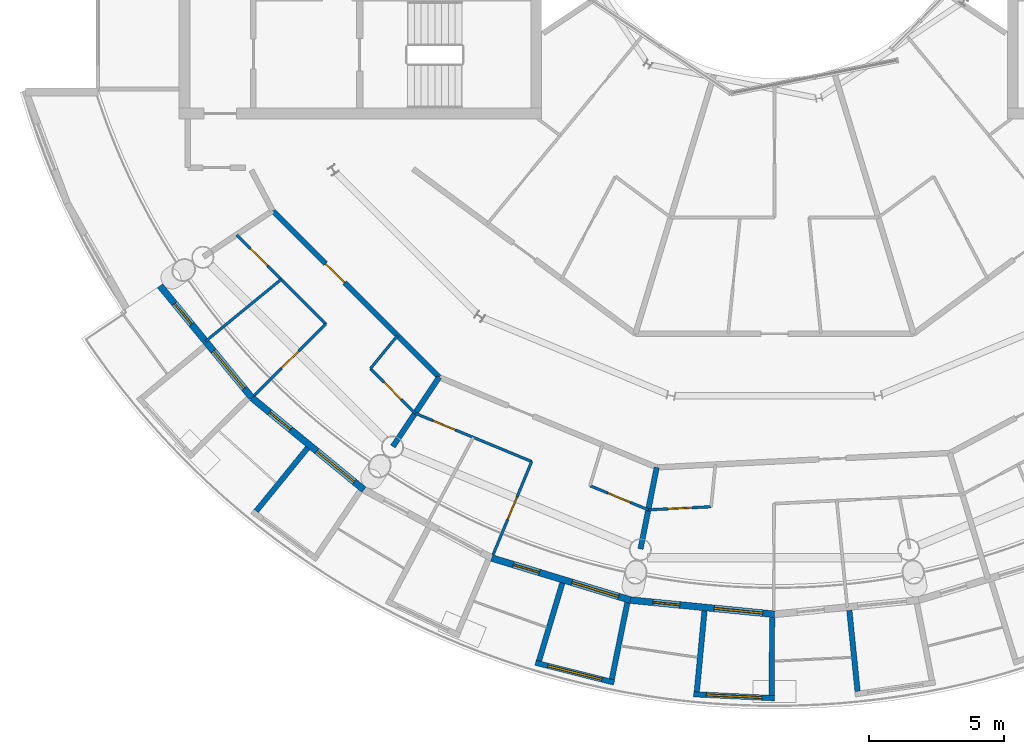
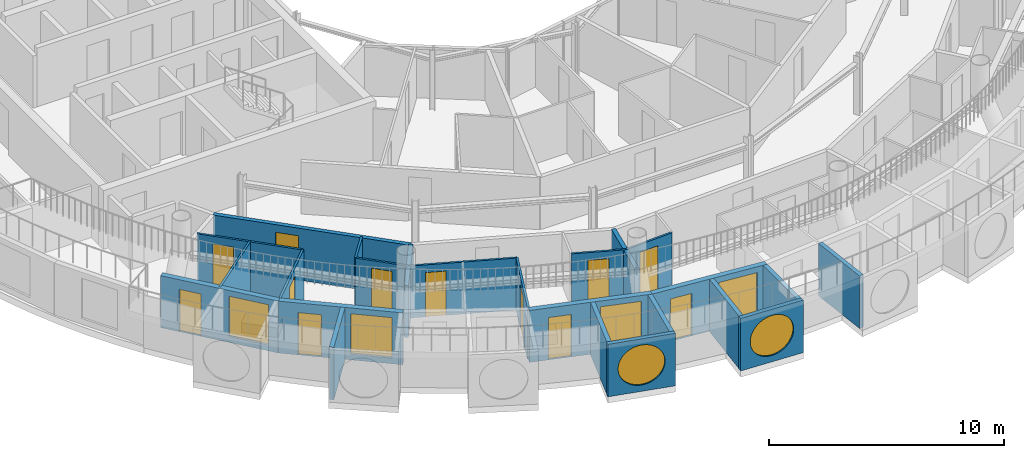
# One storey, part 14 of 29: 24 walls, 12 doors, 6 windows, 18 openings.
"""IFC4 building model written with IfcOpenShell, lengths in metres."""

import ifcopenshell
import ifcopenshell.guid

model = None  # the IFC model being written
_history = None  # IfcOwnerHistory: only IFC2X3 demands one
_inside = {}  # id of a spatial element -> (the spatial element, [elements in it])
_under = {}  # id of a project, library or spatial element -> (it, [spatial elements below it])
_declared = {}  # id of a project -> (the project, [libraries it declares])
_typed = {}  # id of a type object -> (the type object, [elements of that type])
_made_of = {}  # id of a material, layer set ... -> (it, [elements and type objects made of it])


def new_model(schema):
    """Start an empty IFC model of exactly this schema.

    Asked for "IFC4X3", IfcOpenShell would pick the latest addendum, in which some entities
    have other attributes; the version numbers below select the first issue.
    IFC2X3 requires an IfcOwnerHistory on every rooted entity: one is made here for all.
    """
    global model, _history
    if schema == "IFC4X3":
        model = ifcopenshell.file(schema_version=(4, 3, 0, 0))
    else:
        model = ifcopenshell.file(schema=schema)
    _inside.clear()
    _under.clear()
    _declared.clear()
    _typed.clear()
    _made_of.clear()
    _history = None
    if model.schema == "IFC2X3":
        org = make("IfcOrganization", Name="unknown")
        user = make(
            "IfcPersonAndOrganization",
            ThePerson=make("IfcPerson", FamilyName="unknown"),
            TheOrganization=org,
        )
        app = make(
            "IfcApplication",
            ApplicationDeveloper=org,
            Version="unknown",
            ApplicationFullName="unknown",
            ApplicationIdentifier="unknown",
        )
        _history = make(
            "IfcOwnerHistory",
            OwningUser=user,
            OwningApplication=app,
            ChangeAction="ADDED",
            CreationDate=0,
        )
    return model


def make(cls, **values):
    """One entity of the class cls with the attributes given. An attribute that is None is left unset."""
    return model.create_entity(
        cls, **{name: value for name, value in values.items() if value is not None}
    )


def rooted(cls, **values):
    """An entity with a GlobalId (a new one), such as an element, a storey or a relation."""
    return make(cls, GlobalId=ifcopenshell.guid.new(), OwnerHistory=_history, **values)


def si_unit(unit_type, name, prefix=None):
    """IfcSIUnit, for example si_unit("LENGTHUNIT", "METRE", prefix="MILLI")."""
    return make("IfcSIUnit", UnitType=unit_type, Prefix=prefix, Name=name)


def assignment(units):
    """IfcUnitAssignment: the units of a project."""
    return None if units is None else make("IfcUnitAssignment", Units=units)


def point(xyz):
    """IfcCartesianPoint."""
    return None if xyz is None else make("IfcCartesianPoint", Coordinates=xyz)


def direction(xyz):
    """IfcDirection."""
    return None if xyz is None else make("IfcDirection", DirectionRatios=xyz)


def frame(location, z_axis=None, x_axis=None):
    """IfcAxis2Placement3D, a coordinate frame: its origin and axes. An axis left out is left unset."""
    return make(
        "IfcAxis2Placement3D",
        Location=point(location),
        Axis=direction(z_axis),
        RefDirection=direction(x_axis),
    )


def frame_2d(location, x_axis=None):
    """IfcAxis2Placement2D, a coordinate frame in the plane: its origin and x axis."""
    return make(
        "IfcAxis2Placement2D", Location=point(location), RefDirection=direction(x_axis)
    )


def origin():
    """The frame at (0, 0, 0) with its axes left unset."""
    return frame((0.0, 0.0, 0.0))


def place(relative_to, where):
    """IfcLocalPlacement: puts the frame where relative to a parent placement (None: the world)."""
    return make(
        "IfcLocalPlacement", PlacementRelTo=relative_to, RelativePlacement=where
    )


def context(
    kind, dimensions, precision=None, world=None, true_north=None, identifier=None
):
    """IfcGeometricRepresentationContext, for example the 3D "Model" context."""
    return make(
        "IfcGeometricRepresentationContext",
        ContextIdentifier=identifier,
        ContextType=kind,
        CoordinateSpaceDimension=dimensions,
        Precision=precision,
        WorldCoordinateSystem=world,
        TrueNorth=true_north,
    )


def subcontext(parent, identifier, kind, view, scale=None):
    """IfcGeometricRepresentationSubContext, for example "Body" below "Model"."""
    return make(
        "IfcGeometricRepresentationSubContext",
        ContextIdentifier=identifier,
        ContextType=kind,
        ParentContext=parent,
        TargetScale=scale,
        TargetView=view,
    )


def project(units=None, contexts=None):
    """IfcProject with its units and contexts."""
    return rooted(
        "IfcProject",
        Name="project",
        RepresentationContexts=contexts,
        UnitsInContext=assignment(units),
    )


def spatial(cls, under=None, at=None, **own):
    """A site, building, storey or space (cls), placed at a placement, below another one or the project."""
    s = rooted(cls, ObjectPlacement=at, **own)
    if under is not None:
        _under.setdefault(under.id(), (under, []))[1].append(s)
    return s


def profile(cls, at=None, kind="AREA", **sizes):
    """A parametric profile (cls). Its sizes go by their IFC names, for example OverallWidth=200.0."""
    return make(cls, ProfileType=kind, Position=at, **sizes)


def rectangle(**sizes):
    """IfcRectangleProfileDef."""
    return profile("IfcRectangleProfileDef", **sizes)


def circle(**sizes):
    """IfcCircleProfileDef."""
    return profile("IfcCircleProfileDef", **sizes)


def extrude(swept, where, along, depth):
    """IfcExtrudedAreaSolid: the profile swept, set in the frame where, extruded along a direction by depth."""
    return make(
        "IfcExtrudedAreaSolid",
        SweptArea=swept,
        Position=where,
        ExtrudedDirection=direction(along),
        Depth=depth,
    )


def shape(context_of_items, identifier, shape_type, items):
    """IfcShapeRepresentation: the items that make up one representation, for example the "Body"."""
    return make(
        "IfcShapeRepresentation",
        ContextOfItems=context_of_items,
        RepresentationIdentifier=identifier,
        RepresentationType=shape_type,
        Items=items,
    )


def material(Name=None, Category=None):
    """IfcMaterial."""
    return make("IfcMaterial", Name=Name, Category=Category)


def layer(
    of_material, thickness, ventilated=None, Name=None, Category=None, Priority=None
):
    """IfcMaterialLayer: one layer of a wall or slab, of a material (None: an air gap)."""
    return make(
        "IfcMaterialLayer",
        Material=of_material,
        LayerThickness=thickness,
        IsVentilated=ventilated,
        Name=Name,
        Category=Category,
        Priority=Priority,
    )


def layer_set(layers, Name=None):
    """IfcMaterialLayerSet."""
    return make("IfcMaterialLayerSet", MaterialLayers=layers, LayerSetName=Name)


def made_of(thing, what):
    """Note that an element or type object is made of a material, layer set ...; save() writes the relation."""
    if what is not None:
        _made_of.setdefault(what.id(), (what, []))[1].append(thing)
    return thing


def type_object(cls, material=None, **own):
    """A type object (cls), such as IfcWallType, which elements share."""
    return made_of(rooted(cls, **own), material)


def element(
    cls,
    number,
    at=None,
    inside=None,
    cuts=None,
    type_object=None,
    material=None,
    context=None,
    identifier="Body",
    shape_type=None,
    held_by="IfcProductDefinitionShape",
    body=None,
    shapes=None,
    **own,
):
    """One element of the class cls, such as IfcWall. Its Tag is "e" and its number.

    at: its placement. inside: the storey or other place that contains it. cuts: it is an
    opening in that element (IfcRelVoidsElement). A single representation is given by context,
    identifier, shape_type and body (its items); several are given by shapes. held_by: the class
    of the entity that holds the representations. save() writes the other relations.
    """
    e = rooted(cls, Tag="e%d" % number, ObjectPlacement=at, **own)
    if body is not None:
        shapes = [shape(context, identifier, shape_type, body)]
    if shapes is not None:
        e.Representation = make(held_by, Representations=shapes)
    if inside is not None:
        _inside.setdefault(inside.id(), (inside, []))[1].append(e)
    if cuts is not None:
        rooted(
            "IfcRelVoidsElement", RelatingBuildingElement=cuts, RelatedOpeningElement=e
        )
    if type_object is not None:
        _typed.setdefault(type_object.id(), (type_object, []))[1].append(e)
    return made_of(e, material)


def fill(opening, filler):
    """IfcRelFillsElement: the door or window that sits in an opening."""
    return rooted(
        "IfcRelFillsElement",
        RelatingOpeningElement=opening,
        RelatedBuildingElement=filler,
    )


def aggregate(whole, parts):
    """IfcRelAggregates: a whole, such as a stair, and the parts it consists of."""
    return rooted("IfcRelAggregates", RelatingObject=whole, RelatedObjects=parts)


def save(model, path):
    """Write the relations noted so far, then the file.

    IfcRelAggregates (storeys below a building ...), IfcRelContainedInSpatialStructure (elements
    in a storey), IfcRelDefinesByType, IfcRelAssociatesMaterial and IfcRelDeclares: one each for
    every whole, place, type object, material and project.
    """
    for whole, parts in _under.values():
        aggregate(whole, parts)
    for where, things in _inside.values():
        rooted(
            "IfcRelContainedInSpatialStructure",
            RelatedElements=things,
            RelatingStructure=where,
        )
    for kind, things in _typed.values():
        rooted("IfcRelDefinesByType", RelatedObjects=things, RelatingType=kind)
    for what, things in _made_of.values():
        rooted("IfcRelAssociatesMaterial", RelatedObjects=things, RelatingMaterial=what)
    for by, libraries in _declared.values():
        rooted("IfcRelDeclares", RelatingContext=by, RelatedDefinitions=libraries)
    model.write(path)


model = new_model("IFC4")

# Units and contexts
model_context = context("Model", 3, precision=1e-05, world=origin(), true_north=direction((0.0, 1.0)))
body_context = subcontext(model_context, "Body", "Model", "MODEL_VIEW")
ifc_project = project(units=[si_unit("LENGTHUNIT", "METRE"), si_unit("AREAUNIT", "SQUARE_METRE"), si_unit("VOLUMEUNIT", "CUBIC_METRE"), si_unit("PLANEANGLEUNIT", "RADIAN"), si_unit("MASSUNIT", "GRAM", prefix="KILO")], contexts=[model_context])

# Site, building, storey
site_placement = place(None, origin())
site = spatial("IfcSite", under=ifc_project, at=site_placement, CompositionType="ELEMENT")
building_placement = place(site_placement, origin())
building = spatial("IfcBuilding", under=site, at=building_placement, Name="Maasbend Ring Residences", CompositionType="ELEMENT")
storey_placement = place(building_placement, frame((0.0, 0.0, 234.050048828125)))
storey = spatial("IfcBuildingStorey", under=building, at=storey_placement, Name="L67", CompositionType="ELEMENT", Elevation=234.050048828125)

# Wall, opening, door
ifc_material_1 = material(Name="Concrete C30/37", Category="concrete")
ifc_layer_1 = layer(ifc_material_1, 0.199951171875)
ifc_layer_set_1 = layer_set([ifc_layer_1], Name="Concrete C30/37")
wall_type_1 = type_object("IfcWallType", Name="CORRIDOR WALL 200 CONCRETE", PredefinedType="PARTITIONING", material=ifc_layer_set_1)
wall_1_placement = place(storey_placement, frame((-18.5419921875, -12.388916015625, 0.0), z_axis=(0.0, 0.0, 1.0), x_axis=(0.707106781187, -0.707106781187, 0.0)))
wall_1 = element("IfcWall", 1, at=wall_1_placement, inside=storey, type_object=wall_type_1, Name="U-L67-w014", PredefinedType="PARTITIONING", context=body_context, shape_type="SweptSolid", body=[
    extrude(rectangle(XDim=8.70166015625, YDim=0.199951171875, at=frame_2d((4.350830078125, 0.0))), origin(), (0.0, 0.0, 1.0), 2.699951171875),
])
opening_1_placement = place(wall_1_placement, frame((2.762939453125, 0.0, 0.0)))
opening_1 = element("IfcOpeningElement", 2, at=opening_1_placement, cuts=wall_1, Name="Opening D-6734", PredefinedType="OPENING", context=body_context, shape_type="SweptSolid", body=[
    extrude(rectangle(XDim=1.0, YDim=2.300048828125, at=frame_2d((0.5, 1.14990234375))), frame((0.0, 0.10986328125, 0.0), z_axis=(0.0, -1.0, 0.0), x_axis=(1.0, 0.0, 0.0)), (0.0, 0.0, 1.0), 0.219970703125),
])
ifc_material_2 = material(Name="Timber, fire-rated, painted", Category="wood")
door_type_1 = type_object("IfcDoorType", Name="FLAT ENTRANCE DOOR 1000 X 2300 FIRE-RATED", OperationType="NOTDEFINED", PredefinedType="DOOR", material=ifc_material_2)
door_1_placement = place(opening_1_placement, origin())
door_1 = element("IfcDoor", 3, at=door_1_placement, inside=storey, type_object=door_type_1, Name="D-6734", OperationType="SINGLE_SWING_LEFT", OverallHeight=2.300048828125, OverallWidth=1.0, PredefinedType="DOOR", context=body_context, shape_type="SweptSolid", body=[
    extrude(rectangle(XDim=1.0, YDim=2.300048828125, at=frame_2d((0.5, 1.14990234375))), frame((0.0, 0.02490234375, 0.0), z_axis=(0.0, -1.0, 0.0), x_axis=(1.0, 0.0, 0.0)), (0.0, 0.0, 1.0), 0.050048828125),
])
fill(opening_1, door_1)

# Wall
ifc_material_3 = material(Name="Pale anodised aluminium panel", Category="aluminium")
ifc_layer_2 = layer(ifc_material_3, 0.199951171875)
ifc_layer_set_2 = layer_set([ifc_layer_2], Name="EW-BOX")
wall_type_2 = type_object("IfcWallType", Name="EW-BOX", PredefinedType="SOLIDWALL", material=ifc_layer_set_2)
wall_2_placement = place(storey_placement, frame((-17.24609375, -21.155029296875, -0.030029296875), z_axis=(0.0, 0.0, 1.0), x_axis=(-0.631546363729, -0.775338113639, 0.0)))
element("IfcWall", 4, at=wall_2_placement, inside=storey, type_object=wall_type_2, Name="Box side wall S04 left", PredefinedType="SOLIDWALL", context=body_context, shape_type="SweptSolid", body=[
    extrude(rectangle(XDim=3.005126953125, YDim=0.199951171875, at=frame_2d((1.50244140625, 0.0))), origin(), (0.0, 0.0, 1.0), 2.72998046875),
])

# Wall, opening, window
wall_3_placement = place(storey_placement, frame((-8.8291015625, -29.090087890625, -0.030029296875), z_axis=(0.0, 0.0, 1.0), x_axis=(0.970060865847, -0.24286192899, 0.0)))
wall_3 = element("IfcWall", 5, at=wall_3_placement, inside=storey, type_object=wall_type_2, Name="Box front S08", PredefinedType="SOLIDWALL", context=body_context, shape_type="SweptSolid", body=[
    extrude(rectangle(XDim=2.99267578125, YDim=0.199951171875, at=frame_2d((1.496337890625, 0.0))), origin(), (0.0, 0.0, 1.0), 2.72998046875),
])
opening_2_placement = place(wall_3_placement, frame((0.45654296875, 0.0, 0.330078125)))
opening_2 = element("IfcOpeningElement", 6, at=opening_2_placement, cuts=wall_3, Name="Opening W-RD", PredefinedType="OPENING", context=body_context, shape_type="SweptSolid", body=[
    extrude(circle(Radius=1.0400390625, at=frame_2d((1.0400390625, 1.0400390625))), frame((0.0, 0.10986328125, 0.0), z_axis=(0.0, -1.0, 0.0), x_axis=(1.0, 0.0, 0.0)), (0.0, 0.0, 1.0), 0.219970703125),
])
ifc_material_4 = material(Name="Aluminium and clear glass", Category="aluminium")
window_type_1 = type_object("IfcWindowType", Name="W-RD", PartitioningType="SINGLE_PANEL", PredefinedType="WINDOW", material=ifc_material_4)
window_1_placement = place(opening_2_placement, origin())
window_1 = element("IfcWindow", 7, at=window_1_placement, inside=storey, type_object=window_type_1, Name="Round window S08", OverallHeight=2.080078125, OverallWidth=2.080078125, PartitioningType="SINGLE_PANEL", PredefinedType="WINDOW", context=body_context, shape_type="SweptSolid", body=[
    extrude(circle(Radius=1.0400390625, at=frame_2d((1.0400390625, 1.0400390625))), frame((0.0, 0.030029296875, 0.0), z_axis=(0.0, -1.0, 0.0), x_axis=(1.0, 0.0, 0.0)), (0.0, 0.0, 1.0), 0.06005859375),
])
fill(opening_2, window_1)

# Walls
wall_4_placement = place(storey_placement, frame((-7.8369140625, -26.14404296875, -0.030029296875), z_axis=(0.0, 0.0, 1.0), x_axis=(-0.287064767992, -0.957911174889, 0.0)))
element("IfcWall", 8, at=wall_4_placement, inside=storey, type_object=wall_type_2, Name="Box side wall S08 left", PredefinedType="SOLIDWALL", context=body_context, shape_type="SweptSolid", body=[
    extrude(rectangle(XDim=3.00634765625, YDim=0.199951171875, at=frame_2d((1.503173828125, 0.0))), origin(), (0.0, 0.0, 1.0), 2.72998046875),
])
wall_5_placement = place(storey_placement, frame((-5.43701171875, -26.8720703125, -0.030029296875), z_axis=(0.0, 0.0, 1.0), x_axis=(-0.198395337493, -0.980122079162, 0.0)))
element("IfcWall", 9, at=wall_5_placement, inside=storey, type_object=wall_type_2, Name="Box side wall S08 right", PredefinedType="SOLIDWALL", context=body_context, shape_type="SweptSolid", body=[
    extrude(rectangle(XDim=2.88330078125, YDim=0.199951171875, at=frame_2d((1.441650390625, 0.0))), origin(), (0.0, 0.0, 1.0), 2.72998046875),
])

# Wall, opening, window
wall_6_placement = place(storey_placement, frame((-2.985107421875, -30.2529296875, -0.030029296875), z_axis=(0.0, 0.0, 1.0), x_axis=(0.998794083011, -0.049095618353, 0.0)))
wall_6 = element("IfcWall", 10, at=wall_6_placement, inside=storey, type_object=wall_type_2, Name="Box front S10", PredefinedType="SOLIDWALL", context=body_context, shape_type="SweptSolid", body=[
    extrude(rectangle(XDim=2.99365234375, YDim=0.199951171875, at=frame_2d((1.496826171875, 0.0))), origin(), (0.0, 0.0, 1.0), 2.72998046875),
])
opening_3_placement = place(wall_6_placement, frame((0.45654296875, 0.0, 0.330078125)))
opening_3 = element("IfcOpeningElement", 11, at=opening_3_placement, cuts=wall_6, Name="Opening W-RD", PredefinedType="OPENING", context=body_context, shape_type="SweptSolid", body=[
    extrude(circle(Radius=1.0400390625, at=frame_2d((1.0400390625, 1.0400390625))), frame((0.0, 0.10986328125, 0.0), z_axis=(0.0, -1.0, 0.0), x_axis=(1.0, 0.0, 0.0)), (0.0, 0.0, 1.0), 0.219970703125),
])
window_2_placement = place(opening_3_placement, origin())
window_2 = element("IfcWindow", 12, at=window_2_placement, inside=storey, type_object=window_type_1, Name="Round window S10", OverallHeight=2.080078125, OverallWidth=2.080078125, PartitioningType="SINGLE_PANEL", PredefinedType="WINDOW", context=body_context, shape_type="SweptSolid", body=[
    extrude(circle(Radius=1.0400390625, at=frame_2d((1.0400390625, 1.0400390625))), frame((0.0, 0.030029296875, 0.0), z_axis=(0.0, -1.0, 0.0), x_axis=(1.0, 0.0, 0.0)), (0.0, 0.0, 1.0), 0.06005859375),
])
fill(opening_3, window_2)

# Walls
wall_7_placement = place(storey_placement, frame((-2.5859375, -27.1708984375, -0.030029296875), z_axis=(0.0, 0.0, 1.0), x_axis=(-0.094548432284, -0.995520262954, 0.0)))
element("IfcWall", 13, at=wall_7_placement, inside=storey, type_object=wall_type_2, Name="Box side wall S10 left", PredefinedType="SOLIDWALL", context=body_context, shape_type="SweptSolid", body=[
    extrude(rectangle(XDim=3.005615234375, YDim=0.199951171875, at=frame_2d((1.5029296875, 0.0))), origin(), (0.0, 0.0, 1.0), 2.72998046875),
])
wall_8_placement = place(storey_placement, frame((-0.090087890625, -27.4169921875, -0.030029296875), z_axis=(0.0, 0.0, 1.0), x_axis=(-0.00347308367, -0.999993968827, 0.0)))
element("IfcWall", 14, at=wall_8_placement, inside=storey, type_object=wall_type_2, Name="Box side wall S10 right", PredefinedType="SOLIDWALL", context=body_context, shape_type="SweptSolid", body=[
    extrude(rectangle(XDim=2.882080078125, YDim=0.199951171875, at=frame_2d((1.44091796875, 0.0))), origin(), (0.0, 0.0, 1.0), 2.72998046875),
])
wall_9_placement = place(storey_placement, frame((2.763916015625, -27.153076171875, -0.030029296875), z_axis=(0.0, 0.0, 1.0), x_axis=(0.101505487237, -0.994834979311, 0.0)))
element("IfcWall", 15, at=wall_9_placement, inside=storey, type_object=wall_type_2, Name="Box side wall S12 left", PredefinedType="SOLIDWALL", context=body_context, shape_type="SweptSolid", body=[
    extrude(rectangle(XDim=3.006591796875, YDim=0.199951171875, at=frame_2d((1.50341796875, 0.0))), origin(), (0.0, 0.0, 1.0), 2.72998046875),
])

# Wall, openings, door, window
ifc_material_5 = material(Name="Aluminium clad insulated panel", Category="aluminium")
ifc_layer_3 = layer(ifc_material_5, 0.25)
ifc_layer_set_3 = layer_set([ifc_layer_3], Name="EW-GL")
wall_type_3 = type_object("IfcWallType", Name="EW-GL", PredefinedType="SOLIDWALL", material=ifc_layer_set_3)
wall_10_placement = place(storey_placement, frame((-22.698974609375, -15.1669921875, 0.0), z_axis=(0.0, 0.0, 1.0), x_axis=(0.634382322723, -0.773019449054, 0.0)))
wall_10 = element("IfcWall", 16, at=wall_10_placement, inside=storey, type_object=wall_type_3, Name="External wall S01", PredefinedType="SOLIDWALL", context=body_context, shape_type="SweptSolid", body=[
    extrude(rectangle(XDim=5.351806640625, YDim=0.25, at=frame_2d((2.67578125, 0.0))), origin(), (0.0, 0.0, 1.0), 2.699951171875),
])
opening_4_placement = place(wall_10_placement, frame((0.841064453125, 0.0, 0.0)))
opening_4 = element("IfcOpeningElement", 17, at=opening_4_placement, cuts=wall_10, Name="Opening D-LG", PredefinedType="OPENING", context=body_context, shape_type="SweptSolid", body=[
    extrude(rectangle(XDim=1.0, YDim=2.199951171875, at=frame_2d((0.5, 1.10009765625))), frame((0.0, 0.135009765625, 0.0), z_axis=(0.0, -1.0, 0.0), x_axis=(1.0, 0.0, 0.0)), (0.0, 0.0, 1.0), 0.27001953125),
])
opening_5_placement = place(wall_10_placement, frame((3.110595703125, 0.0, 0.300048828125)))
opening_5 = element("IfcOpeningElement", 18, at=opening_5_placement, cuts=wall_10, Name="Opening W-BX", PredefinedType="OPENING", context=body_context, shape_type="SweptSolid", body=[
    extrude(rectangle(XDim=1.800048828125, YDim=2.10009765625, at=frame_2d((0.89990234375, 1.050048828125))), frame((0.0, 0.135009765625, 0.0), z_axis=(0.0, -1.0, 0.0), x_axis=(1.0, 0.0, 0.0)), (0.0, 0.0, 1.0), 0.27001953125),
])
ifc_material_6 = material(Name="Aluminium and clear glass", Category="aluminium")
door_type_2 = type_object("IfcDoorType", Name="D-LG", OperationType="SINGLE_SWING_LEFT", PredefinedType="DOOR", material=ifc_material_6)
door_2_placement = place(opening_4_placement, origin())
door_2 = element("IfcDoor", 19, at=door_2_placement, inside=storey, type_object=door_type_2, Name="Loggia door S01", OperationType="SINGLE_SWING_LEFT", OverallHeight=2.199951171875, OverallWidth=1.0, PredefinedType="DOOR", context=body_context, shape_type="SweptSolid", body=[
    extrude(rectangle(XDim=1.0, YDim=2.199951171875, at=frame_2d((0.5, 1.10009765625))), frame((0.0, 0.02490234375, 0.0), z_axis=(0.0, -1.0, 0.0), x_axis=(1.0, 0.0, 0.0)), (0.0, 0.0, 1.0), 0.050048828125),
])
fill(opening_4, door_2)
ifc_material_7 = material(Name="Aluminium and clear glass", Category="aluminium")
window_type_2 = type_object("IfcWindowType", Name="W-BX", PartitioningType="DOUBLE_PANEL_VERTICAL", PredefinedType="WINDOW", material=ifc_material_7)
window_3_placement = place(opening_5_placement, origin())
window_3 = element("IfcWindow", 20, at=window_3_placement, inside=storey, type_object=window_type_2, Name="Window S02 room to box", OverallHeight=2.10009765625, OverallWidth=1.800048828125, PartitioningType="SINGLE_PANEL", PredefinedType="WINDOW", context=body_context, shape_type="SweptSolid", body=[
    extrude(rectangle(XDim=1.800048828125, YDim=2.10009765625, at=frame_2d((0.89990234375, 1.050048828125))), frame((0.0, 0.030029296875, 0.0), z_axis=(0.0, -1.0, 0.0), x_axis=(1.0, 0.0, 0.0)), (0.0, 0.0, 1.0), 0.06005859375),
])
fill(opening_5, window_3)

wall_11_placement = place(storey_placement, frame((-19.303955078125, -19.303955078125, 0.0), z_axis=(0.0, 0.0, 1.0), x_axis=(0.773019449054, -0.634382322723, 0.0)))
wall_11 = element("IfcWall", 21, at=wall_11_placement, inside=storey, type_object=wall_type_3, Name="External wall S02", PredefinedType="SOLIDWALL", context=body_context, shape_type="SweptSolid", body=[
    extrude(rectangle(XDim=5.351806640625, YDim=0.25, at=frame_2d((2.67578125, 0.0))), origin(), (0.0, 0.0, 1.0), 2.699951171875),
])
opening_6_placement = place(wall_11_placement, frame((0.841064453125, 0.0, 0.0)))
opening_6 = element("IfcOpeningElement", 22, at=opening_6_placement, cuts=wall_11, Name="Opening D-LG", PredefinedType="OPENING", context=body_context, shape_type="SweptSolid", body=[
    extrude(rectangle(XDim=1.0, YDim=2.199951171875, at=frame_2d((0.5, 1.10009765625))), frame((0.0, 0.135009765625, 0.0), z_axis=(0.0, -1.0, 0.0), x_axis=(1.0, 0.0, 0.0)), (0.0, 0.0, 1.0), 0.27001953125),
])
opening_7_placement = place(wall_11_placement, frame((3.095947265625, 0.0, 0.300048828125)))
opening_7 = element("IfcOpeningElement", 23, at=opening_7_placement, cuts=wall_11, Name="Opening W-BX", PredefinedType="OPENING", context=body_context, shape_type="SweptSolid", body=[
    extrude(rectangle(XDim=1.800048828125, YDim=2.10009765625, at=frame_2d((0.89990234375, 1.050048828125))), frame((0.0, 0.135009765625, 0.0), z_axis=(0.0, -1.0, 0.0), x_axis=(1.0, 0.0, 0.0)), (0.0, 0.0, 1.0), 0.27001953125),
])
door_3_placement = place(opening_6_placement, origin())
door_3 = element("IfcDoor", 24, at=door_3_placement, inside=storey, type_object=door_type_2, Name="Loggia door S03", OperationType="SINGLE_SWING_LEFT", OverallHeight=2.199951171875, OverallWidth=1.0, PredefinedType="DOOR", context=body_context, shape_type="SweptSolid", body=[
    extrude(rectangle(XDim=1.0, YDim=2.199951171875, at=frame_2d((0.5, 1.10009765625))), frame((0.0, 0.02490234375, 0.0), z_axis=(0.0, -1.0, 0.0), x_axis=(1.0, 0.0, 0.0)), (0.0, 0.0, 1.0), 0.050048828125),
])
fill(opening_6, door_3)
window_4_placement = place(opening_7_placement, origin())
window_4 = element("IfcWindow", 25, at=window_4_placement, inside=storey, type_object=window_type_2, Name="Window S04 room to box", OverallHeight=2.10009765625, OverallWidth=1.800048828125, PartitioningType="SINGLE_PANEL", PredefinedType="WINDOW", context=body_context, shape_type="SweptSolid", body=[
    extrude(rectangle(XDim=1.800048828125, YDim=2.10009765625, at=frame_2d((0.89990234375, 1.050048828125))), frame((0.0, 0.030029296875, 0.0), z_axis=(0.0, -1.0, 0.0), x_axis=(1.0, 0.0, 0.0)), (0.0, 0.0, 1.0), 0.06005859375),
])
fill(opening_7, window_4)

wall_12_placement = place(storey_placement, frame((-10.447021484375, -25.221923828125, 0.0), z_axis=(0.0, 0.0, 1.0), x_axis=(0.956965678721, -0.290201119486, 0.0)))
wall_12 = element("IfcWall", 26, at=wall_12_placement, inside=storey, type_object=wall_type_3, Name="External wall S04", PredefinedType="SOLIDWALL", context=body_context, shape_type="SweptSolid", body=[
    extrude(rectangle(XDim=5.351318359375, YDim=0.25, at=frame_2d((2.67578125, 0.0))), origin(), (0.0, 0.0, 1.0), 2.699951171875),
])
opening_8_placement = place(wall_12_placement, frame((0.841064453125, 0.0, 0.0)))
opening_8 = element("IfcOpeningElement", 27, at=opening_8_placement, cuts=wall_12, Name="Opening D-LG", PredefinedType="OPENING", context=body_context, shape_type="SweptSolid", body=[
    extrude(rectangle(XDim=1.0, YDim=2.199951171875, at=frame_2d((0.5, 1.10009765625))), frame((0.0, 0.135009765625, 0.0), z_axis=(0.0, -1.0, 0.0), x_axis=(1.0, 0.0, 0.0)), (0.0, 0.0, 1.0), 0.27001953125),
])
opening_9_placement = place(wall_12_placement, frame((3.095947265625, 0.0, 0.300048828125)))
opening_9 = element("IfcOpeningElement", 28, at=opening_9_placement, cuts=wall_12, Name="Opening W-BX", PredefinedType="OPENING", context=body_context, shape_type="SweptSolid", body=[
    extrude(rectangle(XDim=1.800048828125, YDim=2.10009765625, at=frame_2d((0.89990234375, 1.050048828125))), frame((0.0, 0.135009765625, 0.0), z_axis=(0.0, -1.0, 0.0), x_axis=(1.0, 0.0, 0.0)), (0.0, 0.0, 1.0), 0.27001953125),
])
door_4_placement = place(opening_8_placement, origin())
door_4 = element("IfcDoor", 29, at=door_4_placement, inside=storey, type_object=door_type_2, Name="Loggia door S07", OperationType="SINGLE_SWING_LEFT", OverallHeight=2.199951171875, OverallWidth=1.0, PredefinedType="DOOR", context=body_context, shape_type="SweptSolid", body=[
    extrude(rectangle(XDim=1.0, YDim=2.199951171875, at=frame_2d((0.5, 1.10009765625))), frame((0.0, 0.02490234375, 0.0), z_axis=(0.0, -1.0, 0.0), x_axis=(1.0, 0.0, 0.0)), (0.0, 0.0, 1.0), 0.050048828125),
])
fill(opening_8, door_4)
window_5_placement = place(opening_9_placement, origin())
window_5 = element("IfcWindow", 30, at=window_5_placement, inside=storey, type_object=window_type_2, Name="Window S08 room to box", OverallHeight=2.10009765625, OverallWidth=1.800048828125, PartitioningType="SINGLE_PANEL", PredefinedType="WINDOW", context=body_context, shape_type="SweptSolid", body=[
    extrude(rectangle(XDim=1.800048828125, YDim=2.10009765625, at=frame_2d((0.89990234375, 1.050048828125))), frame((0.0, 0.030029296875, 0.0), z_axis=(0.0, -1.0, 0.0), x_axis=(1.0, 0.0, 0.0)), (0.0, 0.0, 1.0), 0.06005859375),
])
fill(opening_9, window_5)

wall_13_placement = place(storey_placement, frame((-5.325927734375, -26.77490234375, 0.0), z_axis=(0.0, 0.0, 1.0), x_axis=(0.995173996315, -0.098126026407, 0.0)))
wall_13 = element("IfcWall", 31, at=wall_13_placement, inside=storey, type_object=wall_type_3, Name="External wall S05", PredefinedType="SOLIDWALL", context=body_context, shape_type="SweptSolid", body=[
    extrude(rectangle(XDim=5.351806640625, YDim=0.25, at=frame_2d((2.67578125, 0.0))), origin(), (0.0, 0.0, 1.0), 2.699951171875),
])
opening_10_placement = place(wall_13_placement, frame((0.841064453125, 0.0, 0.0)))
opening_10 = element("IfcOpeningElement", 32, at=opening_10_placement, cuts=wall_13, Name="Opening D-LG", PredefinedType="OPENING", context=body_context, shape_type="SweptSolid", body=[
    extrude(rectangle(XDim=1.0, YDim=2.199951171875, at=frame_2d((0.5, 1.10009765625))), frame((0.0, 0.135009765625, 0.0), z_axis=(0.0, -1.0, 0.0), x_axis=(1.0, 0.0, 0.0)), (0.0, 0.0, 1.0), 0.27001953125),
])
opening_11_placement = place(wall_13_placement, frame((3.110595703125, 0.0, 0.300048828125)))
opening_11 = element("IfcOpeningElement", 33, at=opening_11_placement, cuts=wall_13, Name="Opening W-BX", PredefinedType="OPENING", context=body_context, shape_type="SweptSolid", body=[
    extrude(rectangle(XDim=1.800048828125, YDim=2.10009765625, at=frame_2d((0.89990234375, 1.050048828125))), frame((0.0, 0.135009765625, 0.0), z_axis=(0.0, -1.0, 0.0), x_axis=(1.0, 0.0, 0.0)), (0.0, 0.0, 1.0), 0.27001953125),
])
door_5_placement = place(opening_10_placement, origin())
door_5 = element("IfcDoor", 34, at=door_5_placement, inside=storey, type_object=door_type_2, Name="Loggia door S09", OperationType="SINGLE_SWING_LEFT", OverallHeight=2.199951171875, OverallWidth=1.0, PredefinedType="DOOR", context=body_context, shape_type="SweptSolid", body=[
    extrude(rectangle(XDim=1.0, YDim=2.199951171875, at=frame_2d((0.5, 1.10009765625))), frame((0.0, 0.02490234375, 0.0), z_axis=(0.0, -1.0, 0.0), x_axis=(1.0, 0.0, 0.0)), (0.0, 0.0, 1.0), 0.050048828125),
])
fill(opening_10, door_5)
window_6_placement = place(opening_11_placement, origin())
window_6 = element("IfcWindow", 35, at=window_6_placement, inside=storey, type_object=window_type_2, Name="Window S10 room to box", OverallHeight=2.10009765625, OverallWidth=1.800048828125, PartitioningType="SINGLE_PANEL", PredefinedType="WINDOW", context=body_context, shape_type="SweptSolid", body=[
    extrude(rectangle(XDim=1.800048828125, YDim=2.10009765625, at=frame_2d((0.89990234375, 1.050048828125))), frame((0.0, 0.030029296875, 0.0), z_axis=(0.0, -1.0, 0.0), x_axis=(1.0, 0.0, 0.0)), (0.0, 0.0, 1.0), 0.06005859375),
])
fill(opening_11, window_6)

# Wall, opening, door
ifc_material_8 = material(Name="Gypsum board on steel studs", Category="steel")
ifc_layer_4 = layer(ifc_material_8, 0.10009765625)
ifc_layer_set_4 = layer_set([ifc_layer_4], Name="PARTITION 100 GYPSUM")
wall_type_4 = type_object("IfcWallType", Name="PARTITION 100 GYPSUM", PredefinedType="PARTITIONING", material=ifc_layer_set_4)
wall_14_placement = place(storey_placement, frame((-19.868896484375, -13.284912109375, 0.0), z_axis=(0.0, 0.0, 1.0), x_axis=(0.707290020325, -0.706923494552, 0.0)))
wall_14 = element("IfcWall", 36, at=wall_14_placement, inside=storey, type_object=wall_type_4, Name="U-L67-w003", PredefinedType="PARTITIONING", context=body_context, shape_type="SweptSolid", body=[
    extrude(rectangle(XDim=4.66259765625, YDim=0.10009765625, at=frame_2d((2.331298828125, 0.0))), origin(), (0.0, 0.0, 1.0), 2.699951171875),
])
opening_12_placement = place(wall_14_placement, frame((0.7119140625, 0.0, 0.0)))
opening_12 = element("IfcOpeningElement", 37, at=opening_12_placement, cuts=wall_14, Name="Opening D-6737", PredefinedType="OPENING", context=body_context, shape_type="SweptSolid", body=[
    extrude(rectangle(XDim=0.89990234375, YDim=2.300048828125, at=frame_2d((0.449951171875, 1.14990234375))), frame((0.0, 0.06005859375, 0.0), z_axis=(0.0, -1.0, 0.0), x_axis=(1.0, 0.0, 0.0)), (0.0, 0.0, 1.0), 0.1201171875),
])
ifc_material_9 = material(Name="Timber, painted", Category="wood")
door_type_3 = type_object("IfcDoorType", Name="INTERNAL DOOR 900 X 2300", OperationType="NOTDEFINED", PredefinedType="DOOR", material=ifc_material_9)
door_6_placement = place(opening_12_placement, origin())
door_6 = element("IfcDoor", 38, at=door_6_placement, inside=storey, type_object=door_type_3, Name="D-6737", OperationType="SINGLE_SWING_LEFT", OverallHeight=2.300048828125, OverallWidth=0.89990234375, PredefinedType="DOOR", context=body_context, shape_type="SweptSolid", body=[
    extrude(rectangle(XDim=0.89990234375, YDim=2.300048828125, at=frame_2d((0.449951171875, 1.14990234375))), frame((0.0, 0.02490234375, 0.0), z_axis=(0.0, -1.0, 0.0), x_axis=(1.0, 0.0, 0.0)), (0.0, 0.0, 1.0), 0.050048828125),
])
fill(opening_12, door_6)

wall_15_placement = place(storey_placement, frame((-14.927001953125, -18.22412109375, 0.0), z_axis=(0.0, 0.0, 1.0), x_axis=(0.707316201218, -0.706897299114, 0.0)))
wall_15 = element("IfcWall", 39, at=wall_15_placement, inside=storey, type_object=wall_type_4, Name="U-L67-w004", PredefinedType="PARTITIONING", context=body_context, shape_type="SweptSolid", body=[
    extrude(rectangle(XDim=2.331298828125, YDim=0.10009765625, at=frame_2d((1.16552734375, 0.0))), origin(), (0.0, 0.0, 1.0), 2.699951171875),
])
opening_13_placement = place(wall_15_placement, frame((0.716064453125, 0.0, 0.0)))
opening_13 = element("IfcOpeningElement", 40, at=opening_13_placement, cuts=wall_15, Name="Opening D-6735", PredefinedType="OPENING", context=body_context, shape_type="SweptSolid", body=[
    extrude(rectangle(XDim=0.89990234375, YDim=2.300048828125, at=frame_2d((0.449951171875, 1.14990234375))), frame((0.0, 0.06005859375, 0.0), z_axis=(0.0, -1.0, 0.0), x_axis=(1.0, 0.0, 0.0)), (0.0, 0.0, 1.0), 0.1201171875),
])
door_7_placement = place(opening_13_placement, origin())
door_7 = element("IfcDoor", 41, at=door_7_placement, inside=storey, type_object=door_type_3, Name="D-6735", OperationType="SINGLE_SWING_LEFT", OverallHeight=2.300048828125, OverallWidth=0.89990234375, PredefinedType="DOOR", context=body_context, shape_type="SweptSolid", body=[
    extrude(rectangle(XDim=0.89990234375, YDim=2.300048828125, at=frame_2d((0.449951171875, 1.14990234375))), frame((0.0, 0.02490234375, 0.0), z_axis=(0.0, -1.0, 0.0), x_axis=(1.0, 0.0, 0.0)), (0.0, 0.0, 1.0), 0.050048828125),
])
fill(opening_13, door_7)

wall_16_placement = place(storey_placement, frame((-13.278076171875, -19.873046875, 0.0), z_axis=(0.0, 0.0, 1.0), x_axis=(0.923920484476, -0.38258455061, 0.0)))
wall_16 = element("IfcWall", 42, at=wall_16_placement, inside=storey, type_object=wall_type_4, Name="U-L67-w005", PredefinedType="PARTITIONING", context=body_context, shape_type="SweptSolid", body=[
    extrude(rectangle(XDim=4.662841796875, YDim=0.10009765625, at=frame_2d((2.33154296875, 0.0))), origin(), (0.0, 0.0, 1.0), 2.699951171875),
])
opening_14_placement = place(wall_16_placement, frame((0.715087890625, 0.0, 0.0)))
opening_14 = element("IfcOpeningElement", 43, at=opening_14_placement, cuts=wall_16, Name="Opening D-6741", PredefinedType="OPENING", context=body_context, shape_type="SweptSolid", body=[
    extrude(rectangle(XDim=0.89990234375, YDim=2.300048828125, at=frame_2d((0.449951171875, 1.14990234375))), frame((0.0, 0.06005859375, 0.0), z_axis=(0.0, -1.0, 0.0), x_axis=(1.0, 0.0, 0.0)), (0.0, 0.0, 1.0), 0.1201171875),
])
door_8_placement = place(opening_14_placement, origin())
door_8 = element("IfcDoor", 44, at=door_8_placement, inside=storey, type_object=door_type_3, Name="D-6741", OperationType="SINGLE_SWING_LEFT", OverallHeight=2.300048828125, OverallWidth=0.89990234375, PredefinedType="DOOR", context=body_context, shape_type="SweptSolid", body=[
    extrude(rectangle(XDim=0.89990234375, YDim=2.300048828125, at=frame_2d((0.449951171875, 1.14990234375))), frame((0.0, 0.02490234375, 0.0), z_axis=(0.0, -1.0, 0.0), x_axis=(1.0, 0.0, 0.0)), (0.0, 0.0, 1.0), 0.050048828125),
])
fill(opening_14, door_8)

wall_17_placement = place(storey_placement, frame((-6.81689453125, -22.549072265625, 0.0), z_axis=(0.0, 0.0, 1.0), x_axis=(0.923923664861, -0.382576870068, 0.0)))
wall_17 = element("IfcWall", 45, at=wall_17_placement, inside=storey, type_object=wall_type_4, Name="U-L67-w006", PredefinedType="PARTITIONING", context=body_context, shape_type="SweptSolid", body=[
    extrude(rectangle(XDim=2.3310546875, YDim=0.10009765625, at=frame_2d((1.16552734375, 0.0))), origin(), (0.0, 0.0, 1.0), 2.699951171875),
])
opening_15_placement = place(wall_17_placement, frame((0.716064453125, 0.0, 0.0)))
opening_15 = element("IfcOpeningElement", 46, at=opening_15_placement, cuts=wall_17, Name="Opening D-6739", PredefinedType="OPENING", context=body_context, shape_type="SweptSolid", body=[
    extrude(rectangle(XDim=0.89990234375, YDim=2.300048828125, at=frame_2d((0.449951171875, 1.14990234375))), frame((0.0, 0.06005859375, 0.0), z_axis=(0.0, -1.0, 0.0), x_axis=(1.0, 0.0, 0.0)), (0.0, 0.0, 1.0), 0.1201171875),
])
door_9_placement = place(opening_15_placement, origin())
door_9 = element("IfcDoor", 47, at=door_9_placement, inside=storey, type_object=door_type_3, Name="D-6739", OperationType="SINGLE_SWING_LEFT", OverallHeight=2.300048828125, OverallWidth=0.89990234375, PredefinedType="DOOR", context=body_context, shape_type="SweptSolid", body=[
    extrude(rectangle(XDim=0.89990234375, YDim=2.300048828125, at=frame_2d((0.449951171875, 1.14990234375))), frame((0.0, 0.02490234375, 0.0), z_axis=(0.0, -1.0, 0.0), x_axis=(1.0, 0.0, 0.0)), (0.0, 0.0, 1.0), 0.050048828125),
])
fill(opening_15, door_9)

wall_18_placement = place(storey_placement, frame((-4.669921875, -23.44091796875, 0.0), z_axis=(0.0, 0.0, 1.0), x_axis=(0.998801754813, 0.04893929488, 0.0)))
wall_18 = element("IfcWall", 48, at=wall_18_placement, inside=storey, type_object=wall_type_4, Name="U-L67-w009", PredefinedType="PARTITIONING", context=body_context, shape_type="SweptSolid", body=[
    extrude(rectangle(XDim=2.32958984375, YDim=0.10009765625, at=frame_2d((1.164794921875, 0.0))), origin(), (0.0, 0.0, 1.0), 2.699951171875),
])
opening_16_placement = place(wall_18_placement, frame((0.718017578125, 0.0, 0.0)))
opening_16 = element("IfcOpeningElement", 49, at=opening_16_placement, cuts=wall_18, Name="Opening D-6743", PredefinedType="OPENING", context=body_context, shape_type="SweptSolid", body=[
    extrude(rectangle(XDim=0.89990234375, YDim=2.300048828125, at=frame_2d((0.449951171875, 1.14990234375))), frame((0.0, 0.06005859375, 0.0), z_axis=(0.0, -1.0, 0.0), x_axis=(1.0, 0.0, 0.0)), (0.0, 0.0, 1.0), 0.1201171875),
])
door_10_placement = place(opening_16_placement, origin())
door_10 = element("IfcDoor", 50, at=door_10_placement, inside=storey, type_object=door_type_3, Name="D-6743", OperationType="SINGLE_SWING_RIGHT", OverallHeight=2.300048828125, OverallWidth=0.89990234375, PredefinedType="DOOR", context=body_context, shape_type="SweptSolid", body=[
    extrude(rectangle(XDim=0.89990234375, YDim=2.300048828125, at=frame_2d((0.449951171875, 1.14990234375))), frame((0.0, 0.02490234375, 0.0), z_axis=(0.0, -1.0, 0.0), x_axis=(1.0, 0.0, 0.0)), (0.0, 0.0, 1.0), 0.050048828125),
])
fill(opening_16, door_10)

# Walls
wall_19_placement = place(storey_placement, frame((-14.927001953125, -18.22412109375, 0.0), z_axis=(0.0, 0.0, 1.0), x_axis=(0.633861186344, 0.773446828454, 0.0)))
element("IfcWall", 51, at=wall_19_placement, inside=storey, type_object=wall_type_4, Name="U-L67-w033", PredefinedType="PARTITIONING", context=body_context, shape_type="SweptSolid", body=[
    extrude(rectangle(XDim=1.57763671875, YDim=0.10009765625, at=frame_2d((0.788818359375, 0.0))), origin(), (0.0, 0.0, 1.0), 2.699951171875),
])
wall_20_placement = place(storey_placement, frame((-21.02294921875, -17.219970703125, 0.0), z_axis=(0.0, 0.0, 1.0), x_axis=(0.773548271597, 0.633737383709, 0.0)))
element("IfcWall", 52, at=wall_20_placement, inside=storey, type_object=wall_type_4, Name="U-L67-w041", PredefinedType="PARTITIONING", context=body_context, shape_type="SweptSolid", body=[
    extrude(rectangle(XDim=3.6181640625, YDim=0.10009765625, at=frame_2d((1.80908203125, 0.0))), origin(), (0.0, 0.0, 1.0), 2.699951171875),
])

# Wall, opening, door
wall_21_placement = place(storey_placement, frame((-19.216064453125, -19.216064453125, 0.0), z_axis=(0.0, 0.0, 1.0), x_axis=(0.707106781187, 0.707106781187, 0.0)))
wall_21 = element("IfcWall", 53, at=wall_21_placement, inside=storey, type_object=wall_type_4, Name="U-L67-w043", PredefinedType="PARTITIONING", context=body_context, shape_type="SweptSolid", body=[
    extrude(rectangle(XDim=3.735107421875, YDim=0.10009765625, at=frame_2d((1.86767578125, 0.0))), origin(), (0.0, 0.0, 1.0), 2.699951171875),
])
opening_17_placement = place(wall_21_placement, frame((1.4169921875, 0.0, 0.0)))
opening_17 = element("IfcOpeningElement", 54, at=opening_17_placement, cuts=wall_21, Name="Opening D-6736", PredefinedType="OPENING", context=body_context, shape_type="SweptSolid", body=[
    extrude(rectangle(XDim=0.89990234375, YDim=2.300048828125, at=frame_2d((0.449951171875, 1.14990234375))), frame((0.0, 0.06005859375, 0.0), z_axis=(0.0, -1.0, 0.0), x_axis=(1.0, 0.0, 0.0)), (0.0, 0.0, 1.0), 0.1201171875),
])
door_11_placement = place(opening_17_placement, origin())
door_11 = element("IfcDoor", 55, at=door_11_placement, inside=storey, type_object=door_type_3, Name="D-6736", OperationType="SINGLE_SWING_LEFT", OverallHeight=2.300048828125, OverallWidth=0.89990234375, PredefinedType="DOOR", context=body_context, shape_type="SweptSolid", body=[
    extrude(rectangle(XDim=0.89990234375, YDim=2.300048828125, at=frame_2d((0.449951171875, 1.14990234375))), frame((0.0, 0.02490234375, 0.0), z_axis=(0.0, -1.0, 0.0), x_axis=(1.0, 0.0, 0.0)), (0.0, 0.0, 1.0), 0.050048828125),
])
fill(opening_17, door_11)

wall_22_placement = place(storey_placement, frame((-10.39892578125, -25.10595703125, 0.0), z_axis=(0.0, 0.0, 1.0), x_axis=(0.382669377748, 0.923885353999, 0.0)))
wall_22 = element("IfcWall", 56, at=wall_22_placement, inside=storey, type_object=wall_type_4, Name="U-L67-w052", PredefinedType="PARTITIONING", context=body_context, shape_type="SweptSolid", body=[
    extrude(rectangle(XDim=3.734130859375, YDim=0.10009765625, at=frame_2d((1.8671875, 0.0))), origin(), (0.0, 0.0, 1.0), 2.699951171875),
])
opening_18_placement = place(wall_22_placement, frame((1.4169921875, 0.0, 0.0)))
opening_18 = element("IfcOpeningElement", 57, at=opening_18_placement, cuts=wall_22, Name="Opening D-6740", PredefinedType="OPENING", context=body_context, shape_type="SweptSolid", body=[
    extrude(rectangle(XDim=0.89990234375, YDim=2.300048828125, at=frame_2d((0.449951171875, 1.14990234375))), frame((0.0, 0.06005859375, 0.0), z_axis=(0.0, -1.0, 0.0), x_axis=(1.0, 0.0, 0.0)), (0.0, 0.0, 1.0), 0.1201171875),
])
door_12_placement = place(opening_18_placement, origin())
door_12 = element("IfcDoor", 58, at=door_12_placement, inside=storey, type_object=door_type_3, Name="D-6740", OperationType="SINGLE_SWING_RIGHT", OverallHeight=2.300048828125, OverallWidth=0.89990234375, PredefinedType="DOOR", context=body_context, shape_type="SweptSolid", body=[
    extrude(rectangle(XDim=0.89990234375, YDim=2.300048828125, at=frame_2d((0.449951171875, 1.14990234375))), frame((0.0, 0.02490234375, 0.0), z_axis=(0.0, -1.0, 0.0), x_axis=(1.0, 0.0, 0.0)), (0.0, 0.0, 1.0), 0.050048828125),
])
fill(opening_18, door_12)

# Walls
ifc_material_10 = material(Name="Concrete C30/37", Category="concrete")
ifc_layer_5 = layer(ifc_material_10, 0.199951171875)
ifc_layer_set_5 = layer_set([ifc_layer_5], Name="Concrete C30/37")
wall_type_5 = type_object("IfcWallType", Name="PARTY WALL 200 CONCRETE", PredefinedType="PARTITIONING", material=ifc_layer_set_5)
wall_23_placement = place(storey_placement, frame((-14.096923828125, -21.096923828125, 0.0), z_axis=(0.0, 0.0, 1.0), x_axis=(0.555763018642, 0.831340764735, 0.0)))
element("IfcWall", 59, at=wall_23_placement, inside=storey, type_object=wall_type_5, Name="U-L67-w047", PredefinedType="PARTITIONING", context=body_context, shape_type="SweptSolid", body=[
    extrude(rectangle(XDim=3.0732421875, YDim=0.199951171875, at=frame_2d((1.53662109375, 0.0))), origin(), (0.0, 0.0, 1.0), 2.699951171875),
])
wall_24_placement = place(storey_placement, frame((-4.949951171875, -24.885009765625, 0.0), z_axis=(0.0, 0.0, 1.0), x_axis=(0.194954426435, 0.980812301928, 0.0)))
element("IfcWall", 60, at=wall_24_placement, inside=storey, type_object=wall_type_5, Name="U-L67-w061", PredefinedType="PARTITIONING", context=body_context, shape_type="SweptSolid", body=[
    extrude(rectangle(XDim=3.07177734375, YDim=0.199951171875, at=frame_2d((1.535888671875, 0.0))), origin(), (0.0, 0.0, 1.0), 2.699951171875),
])

save(model, "model.ifc")
